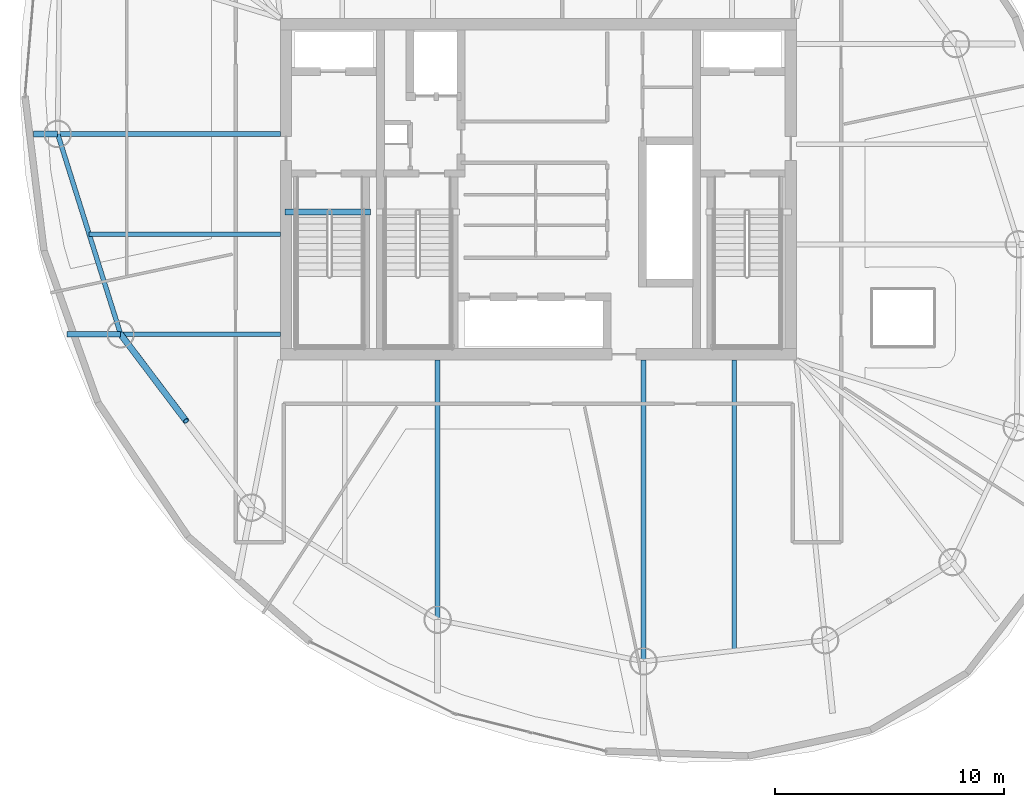
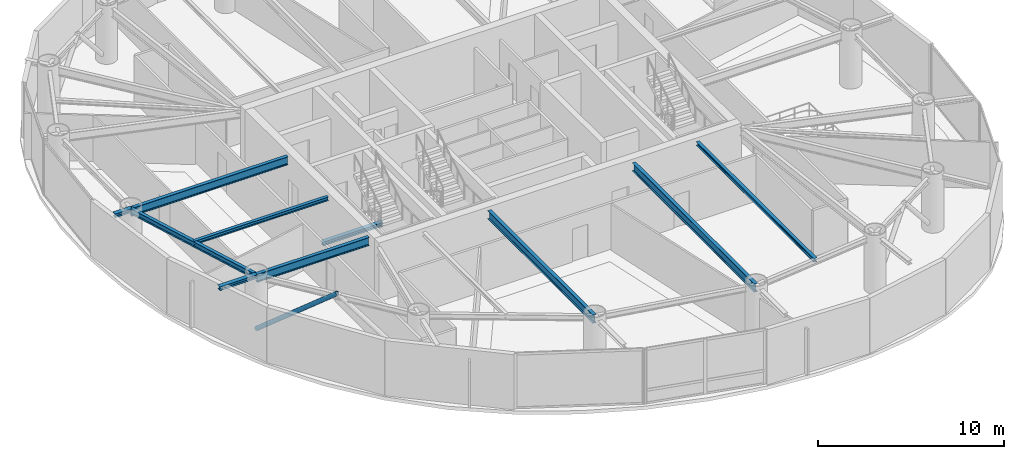
# One storey, part 5 of 22: 10 beams, 1 member.
"""IFC4 building model written with IfcOpenShell, lengths in metres."""

import ifcopenshell
import ifcopenshell.guid

model = None  # the IFC model being written
_history = None  # IfcOwnerHistory: only IFC2X3 demands one
_inside = {}  # id of a spatial element -> (the spatial element, [elements in it])
_under = {}  # id of a project, library or spatial element -> (it, [spatial elements below it])
_declared = {}  # id of a project -> (the project, [libraries it declares])
_typed = {}  # id of a type object -> (the type object, [elements of that type])
_made_of = {}  # id of a material, layer set ... -> (it, [elements and type objects made of it])


def new_model(schema):
    """Start an empty IFC model of exactly this schema.

    Asked for "IFC4X3", IfcOpenShell would pick the latest addendum, in which some entities
    have other attributes; the version numbers below select the first issue.
    IFC2X3 requires an IfcOwnerHistory on every rooted entity: one is made here for all.
    """
    global model, _history
    if schema == "IFC4X3":
        model = ifcopenshell.file(schema_version=(4, 3, 0, 0))
    else:
        model = ifcopenshell.file(schema=schema)
    _inside.clear()
    _under.clear()
    _declared.clear()
    _typed.clear()
    _made_of.clear()
    _history = None
    if model.schema == "IFC2X3":
        org = make("IfcOrganization", Name="unknown")
        user = make(
            "IfcPersonAndOrganization",
            ThePerson=make("IfcPerson", FamilyName="unknown"),
            TheOrganization=org,
        )
        app = make(
            "IfcApplication",
            ApplicationDeveloper=org,
            Version="unknown",
            ApplicationFullName="unknown",
            ApplicationIdentifier="unknown",
        )
        _history = make(
            "IfcOwnerHistory",
            OwningUser=user,
            OwningApplication=app,
            ChangeAction="ADDED",
            CreationDate=0,
        )
    return model


def make(cls, **values):
    """One entity of the class cls with the attributes given. An attribute that is None is left unset."""
    return model.create_entity(
        cls, **{name: value for name, value in values.items() if value is not None}
    )


def rooted(cls, **values):
    """An entity with a GlobalId (a new one), such as an element, a storey or a relation."""
    return make(cls, GlobalId=ifcopenshell.guid.new(), OwnerHistory=_history, **values)


def si_unit(unit_type, name, prefix=None):
    """IfcSIUnit, for example si_unit("LENGTHUNIT", "METRE", prefix="MILLI")."""
    return make("IfcSIUnit", UnitType=unit_type, Prefix=prefix, Name=name)


def assignment(units):
    """IfcUnitAssignment: the units of a project."""
    return None if units is None else make("IfcUnitAssignment", Units=units)


def point(xyz):
    """IfcCartesianPoint."""
    return None if xyz is None else make("IfcCartesianPoint", Coordinates=xyz)


def direction(xyz):
    """IfcDirection."""
    return None if xyz is None else make("IfcDirection", DirectionRatios=xyz)


def frame(location, z_axis=None, x_axis=None):
    """IfcAxis2Placement3D, a coordinate frame: its origin and axes. An axis left out is left unset."""
    return make(
        "IfcAxis2Placement3D",
        Location=point(location),
        Axis=direction(z_axis),
        RefDirection=direction(x_axis),
    )


def frame_2d(location, x_axis=None):
    """IfcAxis2Placement2D, a coordinate frame in the plane: its origin and x axis."""
    return make(
        "IfcAxis2Placement2D", Location=point(location), RefDirection=direction(x_axis)
    )


def origin():
    """The frame at (0, 0, 0) with its axes left unset."""
    return frame((0.0, 0.0, 0.0))


def origin_2d():
    """The frame at (0, 0) in the plane with its x axis left unset."""
    return frame_2d((0.0, 0.0))


def place(relative_to, where):
    """IfcLocalPlacement: puts the frame where relative to a parent placement (None: the world)."""
    return make(
        "IfcLocalPlacement", PlacementRelTo=relative_to, RelativePlacement=where
    )


def context(
    kind, dimensions, precision=None, world=None, true_north=None, identifier=None
):
    """IfcGeometricRepresentationContext, for example the 3D "Model" context."""
    return make(
        "IfcGeometricRepresentationContext",
        ContextIdentifier=identifier,
        ContextType=kind,
        CoordinateSpaceDimension=dimensions,
        Precision=precision,
        WorldCoordinateSystem=world,
        TrueNorth=true_north,
    )


def subcontext(parent, identifier, kind, view, scale=None):
    """IfcGeometricRepresentationSubContext, for example "Body" below "Model"."""
    return make(
        "IfcGeometricRepresentationSubContext",
        ContextIdentifier=identifier,
        ContextType=kind,
        ParentContext=parent,
        TargetScale=scale,
        TargetView=view,
    )


def project(units=None, contexts=None):
    """IfcProject with its units and contexts."""
    return rooted(
        "IfcProject",
        Name="project",
        RepresentationContexts=contexts,
        UnitsInContext=assignment(units),
    )


def spatial(cls, under=None, at=None, **own):
    """A site, building, storey or space (cls), placed at a placement, below another one or the project."""
    s = rooted(cls, ObjectPlacement=at, **own)
    if under is not None:
        _under.setdefault(under.id(), (under, []))[1].append(s)
    return s


def profile(cls, at=None, kind="AREA", **sizes):
    """A parametric profile (cls). Its sizes go by their IFC names, for example OverallWidth=200.0."""
    return make(cls, ProfileType=kind, Position=at, **sizes)


def hollow_circle(**sizes):
    """IfcCircleHollowProfileDef."""
    return profile("IfcCircleHollowProfileDef", **sizes)


def i_section(**sizes):
    """IfcIShapeProfileDef."""
    return profile("IfcIShapeProfileDef", **sizes)


def extrude(swept, where, along, depth):
    """IfcExtrudedAreaSolid: the profile swept, set in the frame where, extruded along a direction by depth."""
    return make(
        "IfcExtrudedAreaSolid",
        SweptArea=swept,
        Position=where,
        ExtrudedDirection=direction(along),
        Depth=depth,
    )


def shape(context_of_items, identifier, shape_type, items):
    """IfcShapeRepresentation: the items that make up one representation, for example the "Body"."""
    return make(
        "IfcShapeRepresentation",
        ContextOfItems=context_of_items,
        RepresentationIdentifier=identifier,
        RepresentationType=shape_type,
        Items=items,
    )


def material(Name=None, Category=None):
    """IfcMaterial."""
    return make("IfcMaterial", Name=Name, Category=Category)


def material_profile(
    of_material, cross_section, Name=None, Category=None, Priority=None
):
    """IfcMaterialProfile: a cross section and its material."""
    return make(
        "IfcMaterialProfile",
        Name=Name,
        Material=of_material,
        Profile=cross_section,
        Priority=Priority,
        Category=Category,
    )


def profile_set(profiles, Name=None, composite=None):
    """IfcMaterialProfileSet."""
    return make(
        "IfcMaterialProfileSet",
        Name=Name,
        MaterialProfiles=profiles,
        CompositeProfile=composite,
    )


def made_of(thing, what):
    """Note that an element or type object is made of a material, layer set ...; save() writes the relation."""
    if what is not None:
        _made_of.setdefault(what.id(), (what, []))[1].append(thing)
    return thing


def type_object(cls, material=None, **own):
    """A type object (cls), such as IfcWallType, which elements share."""
    return made_of(rooted(cls, **own), material)


def element(
    cls,
    number,
    at=None,
    inside=None,
    cuts=None,
    type_object=None,
    material=None,
    context=None,
    identifier="Body",
    shape_type=None,
    held_by="IfcProductDefinitionShape",
    body=None,
    shapes=None,
    **own,
):
    """One element of the class cls, such as IfcWall. Its Tag is "e" and its number.

    at: its placement. inside: the storey or other place that contains it. cuts: it is an
    opening in that element (IfcRelVoidsElement). A single representation is given by context,
    identifier, shape_type and body (its items); several are given by shapes. held_by: the class
    of the entity that holds the representations. save() writes the other relations.
    """
    e = rooted(cls, Tag="e%d" % number, ObjectPlacement=at, **own)
    if body is not None:
        shapes = [shape(context, identifier, shape_type, body)]
    if shapes is not None:
        e.Representation = make(held_by, Representations=shapes)
    if inside is not None:
        _inside.setdefault(inside.id(), (inside, []))[1].append(e)
    if cuts is not None:
        rooted(
            "IfcRelVoidsElement", RelatingBuildingElement=cuts, RelatedOpeningElement=e
        )
    if type_object is not None:
        _typed.setdefault(type_object.id(), (type_object, []))[1].append(e)
    return made_of(e, material)


def aggregate(whole, parts):
    """IfcRelAggregates: a whole, such as a stair, and the parts it consists of."""
    return rooted("IfcRelAggregates", RelatingObject=whole, RelatedObjects=parts)


def save(model, path):
    """Write the relations noted so far, then the file.

    IfcRelAggregates (storeys below a building ...), IfcRelContainedInSpatialStructure (elements
    in a storey), IfcRelDefinesByType, IfcRelAssociatesMaterial and IfcRelDeclares: one each for
    every whole, place, type object, material and project.
    """
    for whole, parts in _under.values():
        aggregate(whole, parts)
    for where, things in _inside.values():
        rooted(
            "IfcRelContainedInSpatialStructure",
            RelatedElements=things,
            RelatingStructure=where,
        )
    for kind, things in _typed.values():
        rooted("IfcRelDefinesByType", RelatedObjects=things, RelatingType=kind)
    for what, things in _made_of.values():
        rooted("IfcRelAssociatesMaterial", RelatedObjects=things, RelatingMaterial=what)
    for by, libraries in _declared.values():
        rooted("IfcRelDeclares", RelatingContext=by, RelatedDefinitions=libraries)
    model.write(path)


model = new_model("IFC4")

# Units and contexts
model_context = context("Model", 3, precision=1e-05, world=origin(), true_north=direction((0.0, 1.0)))
body_context = subcontext(model_context, "Body", "Model", "MODEL_VIEW")
ifc_project = project(units=[si_unit("LENGTHUNIT", "METRE"), si_unit("AREAUNIT", "SQUARE_METRE"), si_unit("VOLUMEUNIT", "CUBIC_METRE"), si_unit("PLANEANGLEUNIT", "RADIAN"), si_unit("MASSUNIT", "GRAM", prefix="KILO")], contexts=[model_context])

# Site, building, storey
site_placement = place(None, origin())
site = spatial("IfcSite", under=ifc_project, at=site_placement, CompositionType="ELEMENT")
building_placement = place(site_placement, origin())
building = spatial("IfcBuilding", under=site, at=building_placement, Name="Bramvorn Convention Spire", CompositionType="ELEMENT")
storey_placement = place(building_placement, frame((0.0, 0.0, 225.10009765625)))
storey = spatial("IfcBuildingStorey", under=building, at=storey_placement, Name="L57", CompositionType="ELEMENT", Elevation=225.10009765625)

# Beams
ifc_material = material(Name="Steel CSA G40.21 Grade 350 (350W)", Category="steel")
ifc_material_profile_1 = material_profile(ifc_material, i_section(OverallWidth=0.201904296875, OverallDepth=0.2470703125, WebThickness=0.00732421875, FlangeThickness=0.010986328125, FilletRadius=0.011962890625, at=origin_2d()))
ifc_profile_set_1 = profile_set([ifc_material_profile_1], Name="Steel CSA G40.21 Grade 350 (350W) - W250X49")
beam_type_1 = type_object("IfcBeamType", Name="BM-W250X49", PredefinedType="JOIST", material=ifc_profile_set_1)
beam_1_placement = place(storey_placement, frame((26.75, 24.039794921875, 3.496337890625), z_axis=(-1.0, 0.0, 0.0), x_axis=(0.0, -1.0, 0.0)))
element("IfcBeam", 1, at=beam_1_placement, inside=storey, type_object=beam_type_1, Name="L57 composite floor joist 11", PredefinedType="JOIST", context=body_context, shape_type="SweptSolid", body=[
    extrude(i_section(OverallWidth=0.201904296875, OverallDepth=0.2470703125, WebThickness=0.00732421875, FlangeThickness=0.010986328125, FilletRadius=0.011962890625, at=origin_2d()), origin(), (0.0, 0.0, 1.0), 8.33251953125),
])
beam_2_placement = place(storey_placement, frame((46.544189453125, 18.550048828125, 3.496337890625), z_axis=(0.0, -1.0, 0.0), x_axis=(1.0, 0.0, 0.0)))
element("IfcBeam", 2, at=beam_2_placement, inside=storey, type_object=beam_type_1, Name="L57 composite floor joist 15", PredefinedType="JOIST", context=body_context, shape_type="SweptSolid", body=[
    extrude(i_section(OverallWidth=0.201904296875, OverallDepth=0.2470703125, WebThickness=0.00732421875, FlangeThickness=0.010986328125, FilletRadius=0.011962890625, at=origin_2d()), origin(), (0.0, 0.0, 1.0), 12.67626953125),
])
ifc_material_profile_2 = material_profile(ifc_material, i_section(OverallWidth=0.25390625, OverallDepth=0.2529296875, WebThickness=0.008544921875, FlangeThickness=0.01416015625, FilletRadius=0.011962890625, at=origin_2d()))
ifc_profile_set_2 = profile_set([ifc_material_profile_2], Name="Steel CSA G40.21 Grade 350 (350W) - W250X73")
beam_type_2 = type_object("IfcBeamType", Name="BM-W250X73", PredefinedType="BEAM", material=ifc_profile_set_2)
beam_3_placement = place(storey_placement, frame((17.04541015625, 28.406494140625, 3.493408203125), z_axis=(-1.0, 0.0, 0.0), x_axis=(0.0, -1.0, 0.0)))
element("IfcBeam", 3, at=beam_3_placement, inside=storey, type_object=beam_type_2, Name="L57 slab-edge cantilever tip beam MC11", PredefinedType="BEAM", context=body_context, shape_type="SweptSolid", body=[
    extrude(i_section(OverallWidth=0.25390625, OverallDepth=0.2529296875, WebThickness=0.008544921875, FlangeThickness=0.01416015625, FilletRadius=0.011962890625, at=origin_2d()), origin(), (0.0, 0.0, 1.0), 1.044677734375),
])
beam_4_placement = place(storey_placement, frame((19.78955078125, 19.672607421875, 3.493408203125), z_axis=(-1.0, 0.0, 0.0), x_axis=(0.0, -1.0, 0.0)))
element("IfcBeam", 4, at=beam_4_placement, inside=storey, type_object=beam_type_2, Name="L57 slab-edge cantilever tip beam MC12", PredefinedType="BEAM", context=body_context, shape_type="SweptSolid", body=[
    extrude(i_section(OverallWidth=0.25390625, OverallDepth=0.2529296875, WebThickness=0.008544921875, FlangeThickness=0.01416015625, FilletRadius=0.011962890625, at=origin_2d()), origin(), (0.0, 0.0, 1.0), 2.333251953125),
])
beam_5_placement = place(storey_placement, frame((26.949951171875, 25.010009765625, -0.126708984375), z_axis=(1.0, 0.0, 0.0), x_axis=(0.0, 1.0, 0.0)))
element("IfcBeam", 5, at=beam_5_placement, inside=storey, type_object=beam_type_2, Name="L57 ST1 stair arrival header beam", PredefinedType="BEAM", context=body_context, shape_type="SweptSolid", body=[
    extrude(i_section(OverallWidth=0.25390625, OverallDepth=0.2529296875, WebThickness=0.008544921875, FlangeThickness=0.01416015625, FilletRadius=0.011962890625, at=origin_2d()), origin(), (0.0, 0.0, 1.0), 3.739990234375),
])
ifc_material_profile_3 = material_profile(ifc_material, i_section(OverallWidth=0.205078125, OverallDepth=0.35400390625, WebThickness=0.009521484375, FlangeThickness=0.016845703125, FilletRadius=0.014892578125, at=origin_2d()))
ifc_profile_set_3 = profile_set([ifc_material_profile_3], Name="Steel CSA G40.21 Grade 350 (350W) - W360X79")
beam_type_3 = type_object("IfcBeamType", Name="BM-W360X79", PredefinedType="JOIST", material=ifc_profile_set_3)
beam_6_placement = place(storey_placement, frame((17.04541015625, 28.406494140625, 3.44287109375), z_axis=(0.299747542929, -0.954018558786, 0.0), x_axis=(0.954018558786, 0.299747542929, 0.0)))
element("IfcBeam", 6, at=beam_6_placement, inside=storey, type_object=beam_type_3, Name="L57 mega-column ring beam 11", PredefinedType="JOIST", context=body_context, shape_type="SweptSolid", body=[
    extrude(i_section(OverallWidth=0.205078125, OverallDepth=0.35400390625, WebThickness=0.009521484375, FlangeThickness=0.016845703125, FilletRadius=0.014892578125, at=origin_2d()), origin(), (0.0, 0.0, 1.0), 9.15478515625),
])
ifc_material_profile_4 = material_profile(ifc_material, i_section(OverallWidth=0.2119140625, OverallDepth=0.5439453125, WebThickness=0.01318359375, FlangeThickness=0.021240234375, FilletRadius=0.01904296875, at=origin_2d()))
ifc_profile_set_4 = profile_set([ifc_material_profile_4], Name="Steel CSA G40.21 Grade 350 (350W) - W530X123")
beam_type_4 = type_object("IfcBeamType", Name="BM-W530X123", PredefinedType="BEAM", material=ifc_profile_set_4)
beam_7_placement = place(storey_placement, frame((26.75, 28.406494140625, 3.347900390625), z_axis=(-1.0, 0.0, 0.0), x_axis=(0.0, -1.0, 0.0)))
element("IfcBeam", 7, at=beam_7_placement, inside=storey, type_object=beam_type_4, Name="L57 radial floor girder MC11", PredefinedType="BEAM", context=body_context, shape_type="SweptSolid", body=[
    extrude(i_section(OverallWidth=0.2119140625, OverallDepth=0.5439453125, WebThickness=0.01318359375, FlangeThickness=0.021240234375, FilletRadius=0.01904296875, at=origin_2d()), origin(), (0.0, 0.0, 1.0), 9.70458984375),
])
beam_8_placement = place(storey_placement, frame((26.75, 19.672607421875, 3.347900390625), z_axis=(-1.0, 0.0, 0.0), x_axis=(0.0, -1.0, 0.0)))
element("IfcBeam", 8, at=beam_8_placement, inside=storey, type_object=beam_type_4, Name="L57 radial floor girder MC12", PredefinedType="BEAM", context=body_context, shape_type="SweptSolid", body=[
    extrude(i_section(OverallWidth=0.2119140625, OverallDepth=0.5439453125, WebThickness=0.01318359375, FlangeThickness=0.021240234375, FilletRadius=0.01904296875, at=origin_2d()), origin(), (0.0, 0.0, 1.0), 6.96044921875),
])
beam_9_placement = place(storey_placement, frame((33.61083984375, 18.550048828125, 3.347900390625), z_axis=(0.0, -1.0, 0.0), x_axis=(1.0, 0.0, 0.0)))
element("IfcBeam", 9, at=beam_9_placement, inside=storey, type_object=beam_type_4, Name="L57 radial floor girder MC14", PredefinedType="BEAM", context=body_context, shape_type="SweptSolid", body=[
    extrude(i_section(OverallWidth=0.2119140625, OverallDepth=0.5439453125, WebThickness=0.01318359375, FlangeThickness=0.021240234375, FilletRadius=0.01904296875, at=origin_2d()), origin(), (0.0, 0.0, 1.0), 11.322265625),
])
beam_10_placement = place(storey_placement, frame((42.583740234375, 18.550048828125, 3.347900390625), z_axis=(0.0, -1.0, 0.0), x_axis=(1.0, 0.0, 0.0)))
element("IfcBeam", 10, at=beam_10_placement, inside=storey, type_object=beam_type_4, Name="L57 radial floor girder MC15", PredefinedType="BEAM", context=body_context, shape_type="SweptSolid", body=[
    extrude(i_section(OverallWidth=0.2119140625, OverallDepth=0.5439453125, WebThickness=0.01318359375, FlangeThickness=0.021240234375, FilletRadius=0.01904296875, at=origin_2d()), origin(), (0.0, 0.0, 1.0), 13.138427734375),
])

# Member
ifc_material_profile_5 = material_profile(ifc_material, hollow_circle(Radius=0.136474609375, WallThickness=0.0126953125, at=origin_2d()))
ifc_profile_set_5 = profile_set([ifc_material_profile_5], Name="Steel CSA G40.21 Grade 350 (350W) - CHS273X13")
member_type = type_object("IfcMemberType", Name="MBR-CHS273X13", PredefinedType="BRACE", material=ifc_profile_set_5)
member_placement = place(storey_placement, frame((19.78955078125, 19.672607421875, 0.0), z_axis=(0.478846711924, -0.633956839206, 0.607292806235), x_axis=(0.797953827999, 0.602718581414, 0.0)))
element("IfcMember", 11, at=member_placement, inside=storey, type_object=member_type, Name="L57 perimeter Gothic lancet brace 12A", PredefinedType="BRACE", context=body_context, shape_type="SweptSolid", body=[
    extrude(hollow_circle(Radius=0.136474609375, WallThickness=0.0126953125, at=origin_2d()), origin(), (0.0, 0.0, 1.0), 5.960693359375),
])

save(model, "model.ifc")
